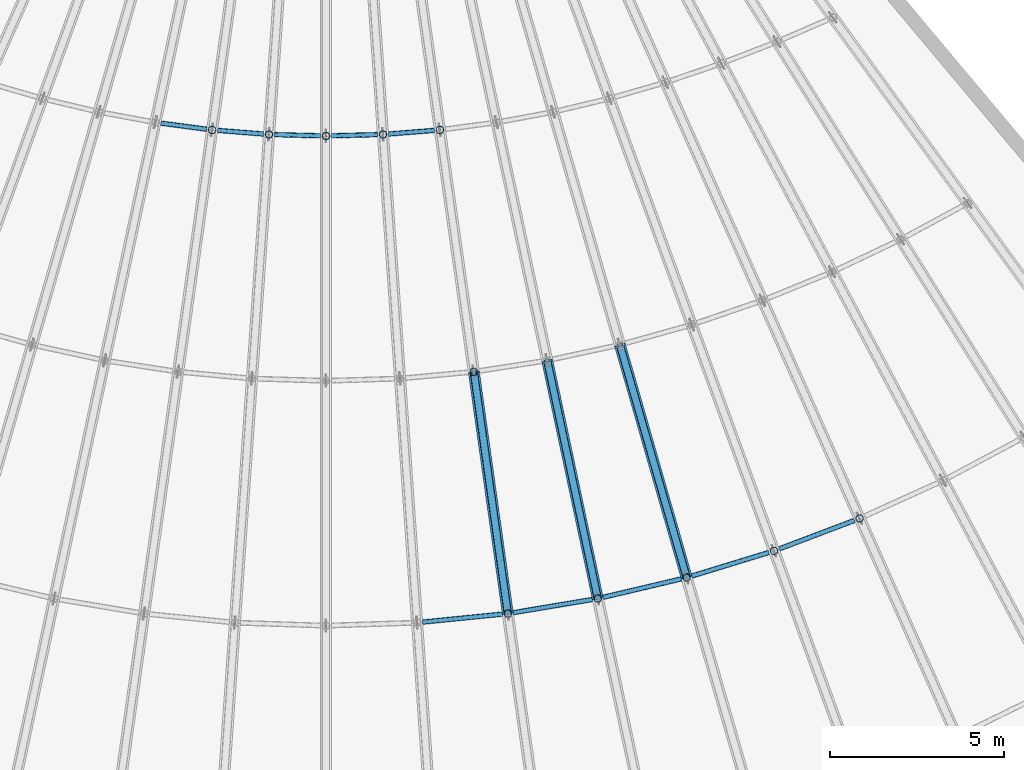
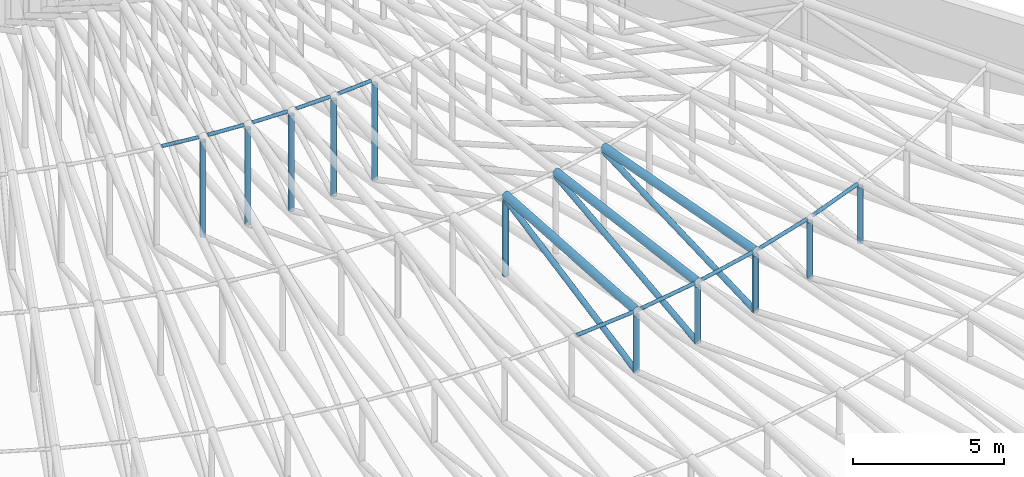
# One storey, part 34 of 163: 27 members.
"""IFC4 building model written with IfcOpenShell, lengths in metres."""

from ifc_helpers import new_model, si_unit, direction, frame, origin, origin_2d, place, context, subcontext, project, spatial, hollow_circle, extrude, material, material_profile, profile_set, type_object, element, save


model = new_model("IFC4")

# Units and contexts
model_context = context("Model", 3, precision=1e-05, world=origin(), true_north=direction((0.0, 1.0)))
body_context = subcontext(model_context, "Body", "Model", "MODEL_VIEW")
ifc_project = project(units=[si_unit("LENGTHUNIT", "METRE"), si_unit("AREAUNIT", "SQUARE_METRE"), si_unit("VOLUMEUNIT", "CUBIC_METRE"), si_unit("PLANEANGLEUNIT", "RADIAN"), si_unit("MASSUNIT", "GRAM", prefix="KILO")], contexts=[model_context])

# Site, building, storey
site_placement = place(None, origin())
site = spatial("IfcSite", under=ifc_project, at=site_placement, CompositionType="ELEMENT")
building_placement = place(site_placement, origin())
building = spatial("IfcBuilding", under=site, at=building_placement, Name="Rain Tree Exposition and Congress Centre", CompositionType="ELEMENT")
storey_placement = place(building_placement, frame((0.0, 0.0, 10.5)))
storey = spatial("IfcBuildingStorey", under=building, at=storey_placement, Name="L02", CompositionType="ELEMENT", Elevation=10.5)

# Members
ifc_material_1 = material(Name="Steel S355J2H", Category="steel")
ifc_material_profile_1 = material_profile(ifc_material_1, hollow_circle(Radius=0.108154296875, WallThickness=0.008056640625, at=origin_2d()), Name="CHS 216x8")
ifc_profile_set_1 = profile_set([ifc_material_profile_1], Name="Steel S355J2H")
member_type_1 = type_object("IfcMemberType", Name="Steel brace member CHS 216x8", PredefinedType="BRACE", material=ifc_profile_set_1)
member_1_placement = place(storey_placement, frame((206.82958984375, 29.9892578125, 0.318603515625), z_axis=(-0.12751623293, 0.907263347577, 0.400765303493), x_axis=(-0.990266762271, -0.139182396663, 0.0)))
element("IfcMember", 1, at=member_1_placement, inside=storey, type_object=member_type_1, Name="TD12-3", PredefinedType="BRACE", context=body_context, shape_type="SweptSolid", body=[
    extrude(hollow_circle(Radius=0.108154296875, WallThickness=0.008056640625, at=origin_2d()), origin(), (0.0, 0.0, 1.0), 7.666015625),
])
member_2_placement = place(storey_placement, frame((209.41748046875, 30.421630859375, 0.318603515625), z_axis=(-0.190425371887, 0.895935242397, 0.401295675497), x_axis=(-0.978150163492, -0.207899633622, 0.0)))
element("IfcMember", 2, at=member_2_placement, inside=storey, type_object=member_type_1, Name="TD13-3", PredefinedType="BRACE", context=body_context, shape_type="SweptSolid", body=[
    extrude(hollow_circle(Radius=0.108154296875, WallThickness=0.008056640625, at=origin_2d()), origin(), (0.0, 0.0, 1.0), 7.642578125),
])
member_3_placement = place(storey_placement, frame((211.97314453125, 31.024169921875, 0.318603515625), z_axis=(-0.252369424601, 0.880132351862, 0.402090433526), x_axis=(-0.961262988359, -0.275632848571, 0.0)))
element("IfcMember", 3, at=member_3_placement, inside=storey, type_object=member_type_1, Name="TD14-3", PredefinedType="BRACE", context=body_context, shape_type="SweptSolid", body=[
    extrude(hollow_circle(Radius=0.108154296875, WallThickness=0.008056640625, at=origin_2d()), origin(), (0.0, 0.0, 1.0), 7.608642578125),
])
ifc_material_2 = material(Name="Steel S355J2H", Category="steel")
ifc_material_profile_2 = material_profile(ifc_material_2, hollow_circle(Radius=0.1591796875, WallThickness=0.010009765625, at=origin_2d()), Name="CHS 318x10")
ifc_profile_set_2 = profile_set([ifc_material_profile_2], Name="Steel S355J2H")
member_type_2 = type_object("IfcMemberType", Name="Steel chord member CHS 318x10", PredefinedType="CHORD", material=ifc_profile_set_2)
member_4_placement = place(storey_placement, frame((206.82958984375, 29.9892578125, 2.76171875), z_axis=(-0.138310120206, 0.98406061549, 0.11178110614), x_axis=(-0.990266762271, -0.139182396663, 0.0)))
element("IfcMember", 4, at=member_4_placement, inside=storey, type_object=member_type_2, Name="TT12-3", PredefinedType="CHORD", context=body_context, shape_type="SweptSolid", body=[
    extrude(hollow_circle(Radius=0.1591796875, WallThickness=0.010009765625, at=origin_2d()), origin(), (0.0, 0.0, 1.0), 7.067626953125),
])
member_5_placement = place(storey_placement, frame((209.41748046875, 30.421630859375, 2.759033203125), z_axis=(-0.206596900837, 0.972020916099, 0.111772354504), x_axis=(-0.978150163492, -0.207899633622, 0.0)))
element("IfcMember", 5, at=member_5_placement, inside=storey, type_object=member_type_2, Name="TT13-3", PredefinedType="CHORD", context=body_context, shape_type="SweptSolid", body=[
    extrude(hollow_circle(Radius=0.1591796875, WallThickness=0.010009765625, at=origin_2d()), origin(), (0.0, 0.0, 1.0), 7.044189453125),
])
member_6_placement = place(storey_placement, frame((211.97314453125, 31.024169921875, 2.755126953125), z_axis=(-0.273905113539, 0.955237553624, 0.111790898215), x_axis=(-0.961262988359, -0.275632848571, 0.0)))
element("IfcMember", 6, at=member_6_placement, inside=storey, type_object=member_type_2, Name="TT14-3", PredefinedType="CHORD", context=body_context, shape_type="SweptSolid", body=[
    extrude(hollow_circle(Radius=0.1591796875, WallThickness=0.010009765625, at=origin_2d()), origin(), (0.0, 0.0, 1.0), 7.01025390625),
])
ifc_material_3 = material(Name="Steel S355J2H", Category="steel")
ifc_material_profile_3 = material_profile(ifc_material_3, hollow_circle(Radius=0.108154296875, WallThickness=0.008056640625, at=origin_2d()), Name="CHS 216x8")
ifc_profile_set_3 = profile_set([ifc_material_profile_3], Name="Steel S355J2H")
member_type_3 = type_object("IfcMemberType", Name="Steel post member CHS 216x8", PredefinedType="POST", material=ifc_profile_set_3)
member_7_placement = place(storey_placement, frame((198.3251953125, 43.899658203125, 0.318603515625), z_axis=(0.0, 0.0, 1.0), x_axis=(1.0, 0.0, 0.0)))
element("IfcMember", 7, at=member_7_placement, inside=storey, type_object=member_type_3, Name="TP8-4", PredefinedType="POST", context=body_context, shape_type="SweptSolid", body=[
    extrude(hollow_circle(Radius=0.108154296875, WallThickness=0.008056640625, at=origin_2d()), origin(), (0.0, 0.0, 1.0), 3.8623046875),
])
member_8_placement = place(storey_placement, frame((199.961669921875, 43.76953125, 0.318603515625), z_axis=(0.0, 0.0, 1.0), x_axis=(1.0, 0.0, 0.0)))
element("IfcMember", 8, at=member_8_placement, inside=storey, type_object=member_type_3, Name="TP9-4", PredefinedType="POST", context=body_context, shape_type="SweptSolid", body=[
    extrude(hollow_circle(Radius=0.108154296875, WallThickness=0.008056640625, at=origin_2d()), origin(), (0.0, 0.0, 1.0), 3.866943359375),
])
member_9_placement = place(storey_placement, frame((201.60009765625, 43.72607421875, 0.318603515625), z_axis=(0.0, 0.0, 1.0), x_axis=(1.0, 0.0, 0.0)))
element("IfcMember", 9, at=member_9_placement, inside=storey, type_object=member_type_3, Name="TP10-4", PredefinedType="POST", context=body_context, shape_type="SweptSolid", body=[
    extrude(hollow_circle(Radius=0.108154296875, WallThickness=0.008056640625, at=origin_2d()), origin(), (0.0, 0.0, 1.0), 3.86865234375),
])
member_10_placement = place(storey_placement, frame((203.23828125, 43.76953125, 0.318603515625), z_axis=(0.0, 0.0, 1.0), x_axis=(1.0, 0.0, 0.0)))
element("IfcMember", 10, at=member_10_placement, inside=storey, type_object=member_type_3, Name="TP11-4", PredefinedType="POST", context=body_context, shape_type="SweptSolid", body=[
    extrude(hollow_circle(Radius=0.108154296875, WallThickness=0.008056640625, at=origin_2d()), origin(), (0.0, 0.0, 1.0), 3.866943359375),
])
member_11_placement = place(storey_placement, frame((206.82958984375, 29.9892578125, 0.318603515625), z_axis=(0.0, 0.0, 1.0), x_axis=(1.0, 0.0, 0.0)))
element("IfcMember", 11, at=member_11_placement, inside=storey, type_object=member_type_3, Name="TP12-2", PredefinedType="POST", context=body_context, shape_type="SweptSolid", body=[
    extrude(hollow_circle(Radius=0.108154296875, WallThickness=0.008056640625, at=origin_2d()), origin(), (0.0, 0.0, 1.0), 2.281982421875),
])
member_12_placement = place(storey_placement, frame((205.85205078125, 36.9443359375, 0.318603515625), z_axis=(0.0, 0.0, 1.0), x_axis=(1.0, 0.0, 0.0)))
element("IfcMember", 12, at=member_12_placement, inside=storey, type_object=member_type_3, Name="TP12-3", PredefinedType="POST", context=body_context, shape_type="SweptSolid", body=[
    extrude(hollow_circle(Radius=0.108154296875, WallThickness=0.008056640625, at=origin_2d()), origin(), (0.0, 0.0, 1.0), 3.072265625),
])
member_13_placement = place(storey_placement, frame((204.874755859375, 43.899658203125, 0.318603515625), z_axis=(0.0, 0.0, 1.0), x_axis=(1.0, 0.0, 0.0)))
element("IfcMember", 13, at=member_13_placement, inside=storey, type_object=member_type_3, Name="TP12-4", PredefinedType="POST", context=body_context, shape_type="SweptSolid", body=[
    extrude(hollow_circle(Radius=0.108154296875, WallThickness=0.008056640625, at=origin_2d()), origin(), (0.0, 0.0, 1.0), 3.8623046875),
])
member_14_placement = place(storey_placement, frame((209.41748046875, 30.421630859375, 0.318603515625), z_axis=(0.0, 0.0, 1.0), x_axis=(1.0, 0.0, 0.0)))
element("IfcMember", 14, at=member_14_placement, inside=storey, type_object=member_type_3, Name="TP13-2", PredefinedType="POST", context=body_context, shape_type="SweptSolid", body=[
    extrude(hollow_circle(Radius=0.108154296875, WallThickness=0.008056640625, at=origin_2d()), origin(), (0.0, 0.0, 1.0), 2.279296875),
])
member_15_placement = place(storey_placement, frame((211.97314453125, 31.024169921875, 0.318603515625), z_axis=(0.0, 0.0, 1.0), x_axis=(1.0, 0.0, 0.0)))
element("IfcMember", 15, at=member_15_placement, inside=storey, type_object=member_type_3, Name="TP14-2", PredefinedType="POST", context=body_context, shape_type="SweptSolid", body=[
    extrude(hollow_circle(Radius=0.108154296875, WallThickness=0.008056640625, at=origin_2d()), origin(), (0.0, 0.0, 1.0), 2.275634765625),
])
member_16_placement = place(storey_placement, frame((214.48681640625, 31.793701171875, 0.318603515625), z_axis=(0.0, 0.0, 1.0), x_axis=(1.0, 0.0, 0.0)))
element("IfcMember", 16, at=member_16_placement, inside=storey, type_object=member_type_3, Name="TP15-2", PredefinedType="POST", context=body_context, shape_type="SweptSolid", body=[
    extrude(hollow_circle(Radius=0.108154296875, WallThickness=0.008056640625, at=origin_2d()), origin(), (0.0, 0.0, 1.0), 2.2705078125),
])
member_17_placement = place(storey_placement, frame((216.948486328125, 32.726806640625, 0.318603515625), z_axis=(0.0, 0.0, 1.0), x_axis=(1.0, 0.0, 0.0)))
element("IfcMember", 17, at=member_17_placement, inside=storey, type_object=member_type_3, Name="TP16-2", PredefinedType="POST", context=body_context, shape_type="SweptSolid", body=[
    extrude(hollow_circle(Radius=0.108154296875, WallThickness=0.008056640625, at=origin_2d()), origin(), (0.0, 0.0, 1.0), 2.26416015625),
])
ifc_material_4 = material(Name="Steel S355J2H", Category="steel")
ifc_material_profile_4 = material_profile(ifc_material_4, hollow_circle(Radius=0.06982421875, WallThickness=0.0048828125, at=origin_2d()), Name="CHS 140x5")
ifc_profile_set_4 = profile_set([ifc_material_profile_4], Name="Steel S355J2H")
member_type_4 = type_object("IfcMemberType", Name="Steel purlin member CHS 140x5", PredefinedType="PURLIN", material=ifc_profile_set_4)
member_18_placement = place(storey_placement, frame((196.851318359375, 44.094970703125, 4.334716796875), z_axis=(0.991306985722, -0.131475513781, 0.004964809611), x_axis=(0.131477134203, 0.991319203477, 0.0)))
element("IfcMember", 18, at=member_18_placement, inside=storey, type_object=member_type_4, Name="PU7-4", PredefinedType="PURLIN", context=body_context, shape_type="SweptSolid", body=[
    extrude(hollow_circle(Radius=0.06982421875, WallThickness=0.0048828125, at=origin_2d()), origin(), (0.0, 0.0, 1.0), 1.32763671875),
])
member_19_placement = place(storey_placement, frame((198.484130859375, 43.886962890625, 4.34228515625), z_axis=(0.996841375642, -0.079363412614, 0.002953057214), x_axis=(0.079363758662, 0.996845722171, 0.0)))
element("IfcMember", 19, at=member_19_placement, inside=storey, type_object=member_type_4, Name="PU8-4", PredefinedType="PURLIN", context=body_context, shape_type="SweptSolid", body=[
    extrude(hollow_circle(Radius=0.06982421875, WallThickness=0.0048828125, at=origin_2d()), origin(), (0.0, 0.0, 1.0), 1.32275390625),
])
member_20_placement = place(storey_placement, frame((200.120849609375, 43.765380859375, 4.3466796875), z_axis=(0.999645125898, -0.02662269246, 0.000924399044), x_axis=(0.026622703834, 0.999645553004, 0.0)))
element("IfcMember", 20, at=member_20_placement, inside=storey, type_object=member_type_4, Name="PU9-4", PredefinedType="PURLIN", context=body_context, shape_type="SweptSolid", body=[
    extrude(hollow_circle(Radius=0.06982421875, WallThickness=0.0048828125, at=origin_2d()), origin(), (0.0, 0.0, 1.0), 1.320556640625),
])
member_21_placement = place(storey_placement, frame((201.75927734375, 43.730224609375, 4.347900390625), z_axis=(0.999644994667, 0.02662761362, -0.000924569917), x_axis=(-0.026627625001, 0.999645421931, 0.0)))
element("IfcMember", 21, at=member_21_placement, inside=storey, type_object=member_type_4, Name="PU10-4", PredefinedType="PURLIN", context=body_context, shape_type="SweptSolid", body=[
    extrude(hollow_circle(Radius=0.06982421875, WallThickness=0.0048828125, at=origin_2d()), origin(), (0.0, 0.0, 1.0), 1.3203125),
])
member_22_placement = place(storey_placement, frame((204.378662109375, 29.74462890625, 2.76318359375), z_axis=(0.995057951104, 0.099293855185, -0.000635819777), x_axis=(-0.099293875255, 0.995058152239, 0.0)))
element("IfcMember", 22, at=member_22_placement, inside=storey, type_object=member_type_4, Name="PU11-2", PredefinedType="PURLIN", context=body_context, shape_type="SweptSolid", body=[
    extrude(hollow_circle(Radius=0.06982421875, WallThickness=0.0048828125, at=origin_2d()), origin(), (0.0, 0.0, 1.0), 2.303955078125),
])
member_23_placement = place(storey_placement, frame((203.397216796875, 43.781982421875, 4.34619140625), z_axis=(0.996841375642, 0.079363412614, -0.002953057214), x_axis=(-0.079363758662, 0.996845722171, 0.0)))
element("IfcMember", 23, at=member_23_placement, inside=storey, type_object=member_type_4, Name="PU11-4", PredefinedType="PURLIN", context=body_context, shape_type="SweptSolid", body=[
    extrude(hollow_circle(Radius=0.06982421875, WallThickness=0.0048828125, at=origin_2d()), origin(), (0.0, 0.0, 1.0), 1.32275390625),
])
member_24_placement = place(storey_placement, frame((206.98681640625, 30.015380859375, 2.761474609375), z_axis=(0.986310341959, 0.164896940022, -0.000953161503), x_axis=(-0.164897014928, 0.986310789999, 0.0)))
element("IfcMember", 24, at=member_24_placement, inside=storey, type_object=member_type_4, Name="PU12-2", PredefinedType="PURLIN", context=body_context, shape_type="SweptSolid", body=[
    extrude(hollow_circle(Radius=0.06982421875, WallThickness=0.0048828125, at=origin_2d()), origin(), (0.0, 0.0, 1.0), 2.30517578125),
])
member_25_placement = place(storey_placement, frame((209.572509765625, 30.458251953125, 2.7587890625), z_axis=(0.973327207993, 0.229416545654, -0.001481472158), x_axis=(-0.229416797412, 0.973328276105, 0.0)))
element("IfcMember", 25, at=member_25_placement, inside=storey, type_object=member_type_4, Name="PU13-2", PredefinedType="PURLIN", context=body_context, shape_type="SweptSolid", body=[
    extrude(hollow_circle(Radius=0.06982421875, WallThickness=0.0048828125, at=origin_2d()), origin(), (0.0, 0.0, 1.0), 2.30712890625),
])
member_26_placement = place(storey_placement, frame((212.12548828125, 31.07080078125, 2.7548828125), z_axis=(0.956162603954, 0.292830081295, -0.001902180247), x_axis=(-0.292830611068, 0.956164333795, 0.0)))
element("IfcMember", 26, at=member_26_placement, inside=storey, type_object=member_type_4, Name="PU14-2", PredefinedType="PURLIN", context=body_context, shape_type="SweptSolid", body=[
    extrude(hollow_circle(Radius=0.06982421875, WallThickness=0.0048828125, at=origin_2d()), origin(), (0.0, 0.0, 1.0), 2.310302734375),
])
member_27_placement = place(storey_placement, frame((214.6357421875, 31.850341796875, 2.749755859375), z_axis=(0.935128622195, 0.354300114333, -0.002426713112), x_axis=(-0.354301157563, 0.935131375663, 0.0)))
element("IfcMember", 27, at=member_27_placement, inside=storey, type_object=member_type_4, Name="PU15-2", PredefinedType="PURLIN", context=body_context, shape_type="SweptSolid", body=[
    extrude(hollow_circle(Radius=0.06982421875, WallThickness=0.0048828125, at=origin_2d()), origin(), (0.0, 0.0, 1.0), 2.31396484375),
])

save(model, "model.ifc")
